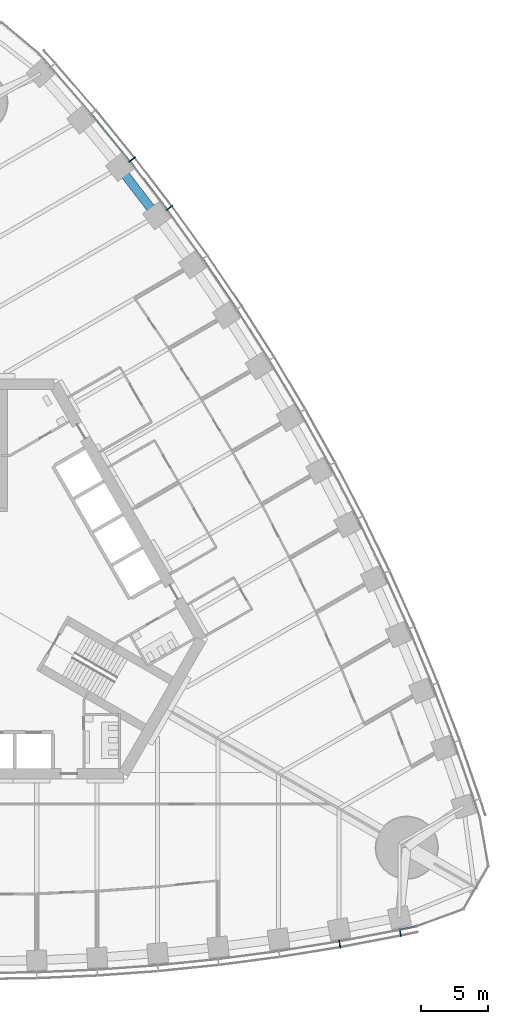
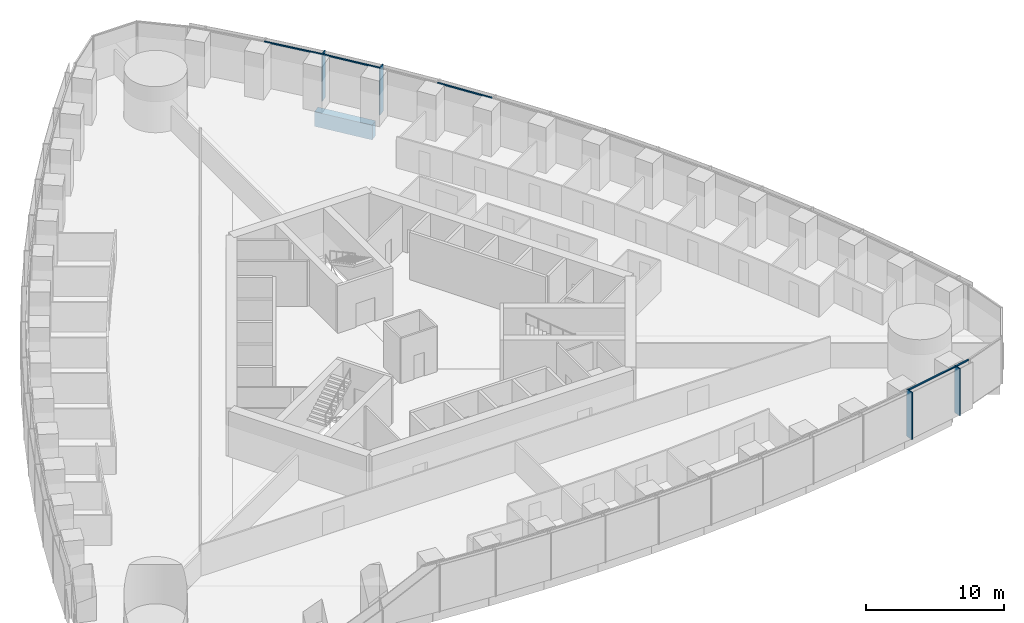
# One storey, part 5 of 18: 9 members, 1 beam, 2 elements without a shape of their own.
"""IFC4 building model written with IfcOpenShell, lengths in metres."""

from ifc_helpers import new_model, si_unit, direction, frame, origin, origin_2d, place, context, subcontext, project, spatial, rectangle, extrude, material, material_profile, profile_set, type_object, element, aggregate, save


model = new_model("IFC4")

# Units and contexts
model_context = context("Model", 3, precision=1e-05, world=origin(), true_north=direction((0.0, 1.0)))
body_context = subcontext(model_context, "Body", "Model", "MODEL_VIEW")
ifc_project = project(units=[si_unit("LENGTHUNIT", "METRE"), si_unit("AREAUNIT", "SQUARE_METRE"), si_unit("VOLUMEUNIT", "CUBIC_METRE"), si_unit("PLANEANGLEUNIT", "RADIAN"), si_unit("MASSUNIT", "GRAM", prefix="KILO")], contexts=[model_context])

# Site, building, storey
site_placement = place(None, origin())
site = spatial("IfcSite", under=ifc_project, at=site_placement, CompositionType="ELEMENT")
building_placement = place(site_placement, origin())
building = spatial("IfcBuilding", under=site, at=building_placement, Name="Trefoil Bronze Tower", CompositionType="ELEMENT")
storey_placement = place(building_placement, frame((0.0, 0.0, 58.5)))
storey = spatial("IfcBuildingStorey", under=building, at=storey_placement, Name="L13", CompositionType="ELEMENT", Elevation=58.5)

# Curtain wall, members
ifc_material_1 = material(Name="Tinted solar-control glass", Category="glass")
curtain_wall_type = type_object("IfcCurtainWallType", Name="Bronze office curtain wall", PredefinedType="USERDEFINED", material=ifc_material_1)
curtain_wall_1_placement = place(storey_placement, origin())
curtain_wall_1 = element("IfcCurtainWall", 1, at=curtain_wall_1_placement, inside=storey, type_object=curtain_wall_type, Name="CW-A L13 F1", ObjectType="CURTAIN WALL", PredefinedType="USERDEFINED")
ifc_material_2 = material(Name="Bronze-finish aluminium", Category="aluminium")
ifc_material_profile_1 = material_profile(ifc_material_2, rectangle(XDim=0.60009765625, YDim=0.080078125, at=origin_2d()), Name="CW-A mullion")
ifc_profile_set_1 = profile_set([ifc_material_profile_1], Name="Bronze-finish aluminium")
member_type_1 = type_object("IfcMemberType", Name="Bronze office curtain wall mullion", PredefinedType="MULLION", material=ifc_profile_set_1)
member_1_placement = place(storey_placement, frame((27.05224609375, -25.67578125, 0.0), z_axis=(0.0, 0.0, 1.0), x_axis=(-0.174131146426, 0.984722470468, 0.0)))
member_1 = element("IfcMember", 2, at=member_1_placement, type_object=member_type_1, Name="CW-A L13 F1 mullion 15", PredefinedType="MULLION", context=body_context, shape_type="SweptSolid", body=[
    extrude(rectangle(XDim=0.60009765625, YDim=0.080078125, at=origin_2d()), origin(), (0.0, 0.0, 1.0), 4.179931640625),
])
member_2_placement = place(storey_placement, frame((31.559326171875, -24.81005859375, 0.0), z_axis=(0.0, 0.0, 1.0), x_axis=(-0.197910006829, 0.98022019424, 0.0)))
member_2 = element("IfcMember", 3, at=member_2_placement, type_object=member_type_1, Name="CW-A L13 F1 mullion 16", PredefinedType="MULLION", context=body_context, shape_type="SweptSolid", body=[
    extrude(rectangle(XDim=0.60009765625, YDim=0.080078125, at=origin_2d()), origin(), (0.0, 0.0, 1.0), 4.179931640625),
])

curtain_wall_2_placement = place(storey_placement, origin())
curtain_wall_2 = element("IfcCurtainWall", 4, at=curtain_wall_2_placement, inside=storey, type_object=curtain_wall_type, Name="CW-A L13 F2", ObjectType="CURTAIN WALL", PredefinedType="USERDEFINED")
member_3_placement = place(storey_placement, frame((14.364013671875, 29.117919921875, 0.0), z_axis=(0.0, 0.0, 1.0), x_axis=(-0.802126748469, -0.59715381552, 0.0)))
member_3 = element("IfcMember", 5, at=member_3_placement, type_object=member_type_1, Name="CW-A L13 F2 mullion 13", PredefinedType="MULLION", context=body_context, shape_type="SweptSolid", body=[
    extrude(rectangle(XDim=0.60009765625, YDim=0.080078125, at=origin_2d()), origin(), (0.0, 0.0, 1.0), 4.179931640625),
])
member_4_placement = place(storey_placement, frame((11.595458984375, 32.7255859375, 0.0), z_axis=(0.0, 0.0, 1.0), x_axis=(-0.784304615744, -0.620375910011, 0.0)))
member_4 = element("IfcMember", 6, at=member_4_placement, type_object=member_type_1, Name="CW-A L13 F2 mullion 14", PredefinedType="MULLION", context=body_context, shape_type="SweptSolid", body=[
    extrude(rectangle(XDim=0.60009765625, YDim=0.080078125, at=origin_2d()), origin(), (0.0, 0.0, 1.0), 4.179931640625),
])

# Member
ifc_material_3 = material(Name="Bronze-finish aluminium", Category="aluminium")
ifc_material_profile_2 = material_profile(ifc_material_3, rectangle(XDim=0.1201171875, YDim=0.10009765625, at=origin_2d()), Name="CW-A transom")
ifc_profile_set_2 = profile_set([ifc_material_profile_2], Name="Bronze-finish aluminium")
member_type_2 = type_object("IfcMemberType", Name="Bronze office curtain wall transom", PredefinedType="USERDEFINED", material=ifc_profile_set_2)
member_5_placement = place(storey_placement, frame((27.05810546875, -25.470947265625, 4.1298828125), z_axis=(0.982053603997, 0.188602011855, 0.0), x_axis=(-0.188602011855, 0.982053603997, 0.0)))
member_5 = element("IfcMember", 7, at=member_5_placement, type_object=member_type_2, Name="CW-A L13 F1 transom 15", ObjectType="TRANSOM", PredefinedType="USERDEFINED", context=body_context, shape_type="SweptSolid", body=[
    extrude(rectangle(XDim=0.1201171875, YDim=0.10009765625, at=origin_2d()), origin(), (0.0, 0.0, 1.0), 4.502197265625),
])

member_6_placement = place(storey_placement, frame((31.559814453125, -24.605712890625, 4.1298828125), z_axis=(0.978266371807, 0.207352129942, 0.0), x_axis=(-0.207352129942, 0.978266371807, 0.0)))
member_6 = element("IfcMember", 8, at=member_6_placement, type_object=member_type_2, Name="CW-A L13 F1 transom 16", ObjectType="TRANSOM", PredefinedType="USERDEFINED", context=body_context, shape_type="SweptSolid", body=[
    extrude(rectangle(XDim=0.1201171875, YDim=0.10009765625, at=origin_2d()), origin(), (0.0, 0.0, 1.0), 1.21044921875),
])

aggregate(curtain_wall_1, [member_1, member_2, member_5, member_6])

member_7_placement = place(storey_placement, frame((19.364990234375, 21.627197265625, 4.1298828125), z_axis=(-0.561508153923, 0.827471203775, 0.0), x_axis=(-0.827471203775, -0.561508153923, 0.0)))
member_7 = element("IfcMember", 9, at=member_7_placement, type_object=member_type_2, Name="CW-A L13 F2 transom 11", ObjectType="TRANSOM", PredefinedType="USERDEFINED", context=body_context, shape_type="SweptSolid", body=[
    extrude(rectangle(XDim=0.1201171875, YDim=0.10009765625, at=origin_2d()), origin(), (0.0, 0.0, 1.0), 4.431884765625),
])

member_8_placement = place(storey_placement, frame((14.178466796875, 29.031494140625, 4.1298828125), z_axis=(-0.608829203216, 0.793301330713, 0.0), x_axis=(-0.793301330713, -0.608829203216, 0.0)))
member_8 = element("IfcMember", 10, at=member_8_placement, type_object=member_type_2, Name="CW-A L13 F2 transom 13", ObjectType="TRANSOM", PredefinedType="USERDEFINED", context=body_context, shape_type="SweptSolid", body=[
    extrude(rectangle(XDim=0.1201171875, YDim=0.10009765625, at=origin_2d()), origin(), (0.0, 0.0, 1.0), 4.458740234375),
])

member_9_placement = place(storey_placement, frame((11.412353515625, 32.6337890625, 4.1298828125), z_axis=(-0.631835540201, 0.775102477185, 0.0), x_axis=(-0.775102477185, -0.631835540201, 0.0)))
member_9 = element("IfcMember", 11, at=member_9_placement, type_object=member_type_2, Name="CW-A L13 F2 transom 14", ObjectType="TRANSOM", PredefinedType="USERDEFINED", context=body_context, shape_type="SweptSolid", body=[
    extrude(rectangle(XDim=0.1201171875, YDim=0.10009765625, at=origin_2d()), origin(), (0.0, 0.0, 1.0), 4.478271484375),
])

aggregate(curtain_wall_2, [member_3, member_4, member_7, member_8, member_9])

# Beam
ifc_material_4 = material(Name="Concrete B80", Category="concrete")
ifc_material_profile_3 = material_profile(ifc_material_4, rectangle(XDim=0.64990234375, YDim=1.300048828125, at=origin_2d()), Name="RC 650x1300")
ifc_profile_set_3 = profile_set([ifc_material_profile_3], Name="Concrete B80")
beam_type = type_object("IfcBeamType", Name="Spandrel beam RC 650x1300", PredefinedType="SPANDREL", material=ifc_profile_set_3)
beam_placement = place(storey_placement, frame((13.42578125, 28.5361328125, -0.85009765625), z_axis=(-0.609338992146, 0.792909826305, 0.0), x_axis=(-0.792909826305, -0.609338992146, 0.0)))
element("IfcBeam", 12, at=beam_placement, inside=storey, type_object=beam_type, Name="Spandrel F2.13 L13", PredefinedType="SPANDREL", context=body_context, shape_type="SweptSolid", body=[
    extrude(rectangle(XDim=0.64990234375, YDim=1.300048828125, at=origin_2d()), origin(), (0.0, 0.0, 1.0), 4.5390625),
])

save(model, "model.ifc")
